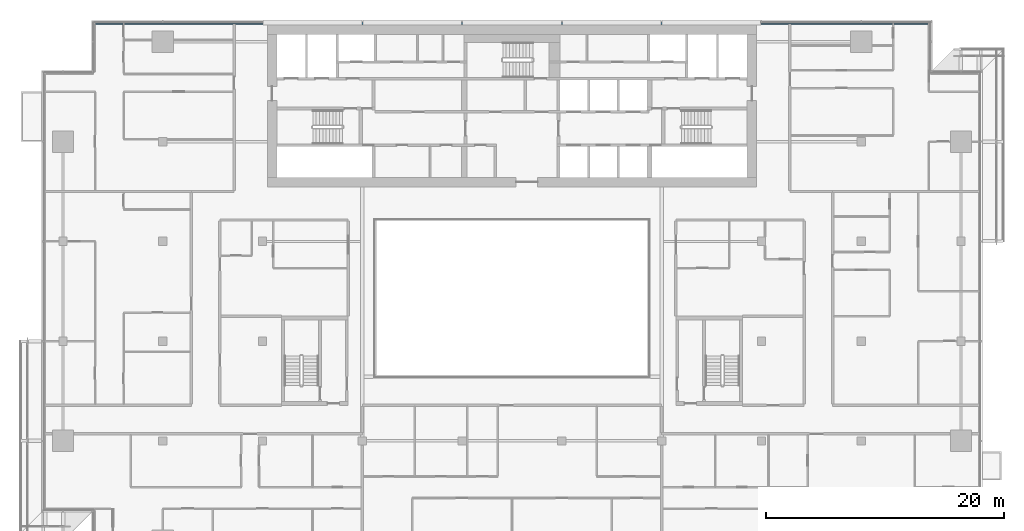
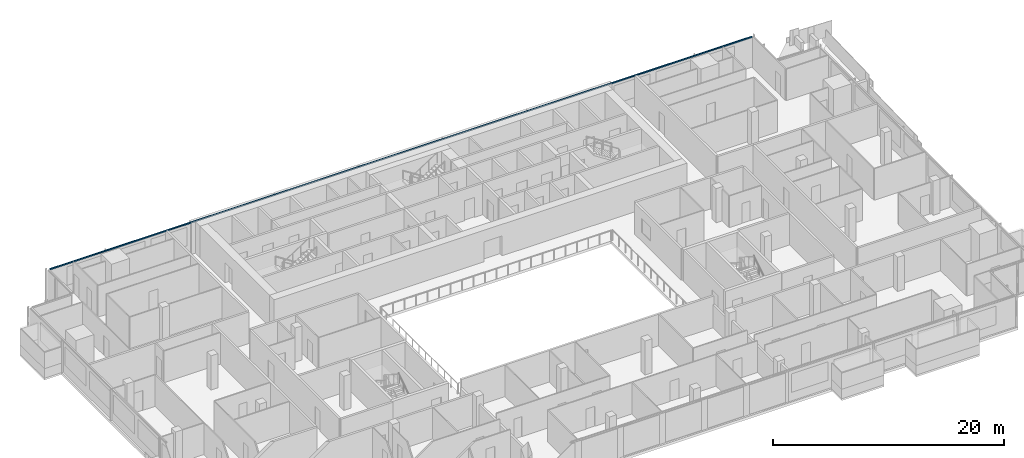
# One storey, part 9 of 30: 1 member, 1 element without a shape of its own.
"""IFC4 building model written with IfcOpenShell, lengths in metres."""

from ifc_helpers import new_model, si_unit, direction, frame, origin, origin_2d, place, context, subcontext, project, spatial, rectangle, extrude, material, material_profile, profile_set, type_object, element, aggregate, save


model = new_model("IFC4")

# Units and contexts
model_context = context("Model", 3, precision=1e-05, world=origin(), true_north=direction((0.0, 1.0)))
body_context = subcontext(model_context, "Body", "Model", "MODEL_VIEW")
ifc_project = project(units=[si_unit("LENGTHUNIT", "METRE"), si_unit("AREAUNIT", "SQUARE_METRE"), si_unit("VOLUMEUNIT", "CUBIC_METRE"), si_unit("PLANEANGLEUNIT", "RADIAN"), si_unit("MASSUNIT", "GRAM", prefix="KILO")], contexts=[model_context])

# Site, building, storey
site_placement = place(None, origin())
site = spatial("IfcSite", under=ifc_project, at=site_placement, CompositionType="ELEMENT")
building_placement = place(site_placement, origin())
building = spatial("IfcBuilding", under=site, at=building_placement, Name="Saffron Gate Tower", CompositionType="ELEMENT")
storey_placement = place(building_placement, frame((0.0, 0.0, 165.449951171875)))
storey = spatial("IfcBuildingStorey", under=building, at=storey_placement, Name="L40", CompositionType="ELEMENT", Elevation=165.449951171875)

# Curtain wall, member
ifc_material = material(Name="Aluminium, bronze anodised", Category="aluminium")
curtain_wall_type = type_object("IfcCurtainWallType", Name="CWS3 curtain wall rear facade", PredefinedType="NOTDEFINED", material=ifc_material)
curtain_wall_placement = place(storey_placement, origin())
curtain_wall = element("IfcCurtainWall", 1, at=curtain_wall_placement, inside=storey, type_object=curtain_wall_type, Name="CWS3 run 7", PredefinedType="NOTDEFINED")
ifc_material_profile = material_profile(ifc_material, rectangle(XDim=0.1201171875, YDim=0.1201171875, at=origin_2d()))
ifc_profile_set = profile_set([ifc_material_profile], Name="Aluminium, bronze anodised")
member_type = type_object("IfcMemberType", Name="CWS3 head transom", PredefinedType="USERDEFINED", material=ifc_profile_set)
member_placement = place(storey_placement, frame((122.632080078125, 75.35205078125, 3.260009765625), z_axis=(-1.0, 0.0, 0.0), x_axis=(0.0, -1.0, 0.0)))
member = element("IfcMember", 2, at=member_placement, type_object=member_type, Name="CWS3 head transom", ObjectType="TRANSOM", PredefinedType="USERDEFINED", context=body_context, shape_type="SweptSolid", body=[
    extrude(rectangle(XDim=0.1201171875, YDim=0.1201171875, at=origin_2d()), origin(), (0.0, 0.0, 1.0), 70.06396484375),
])
aggregate(curtain_wall, [member])

save(model, "model.ifc")
